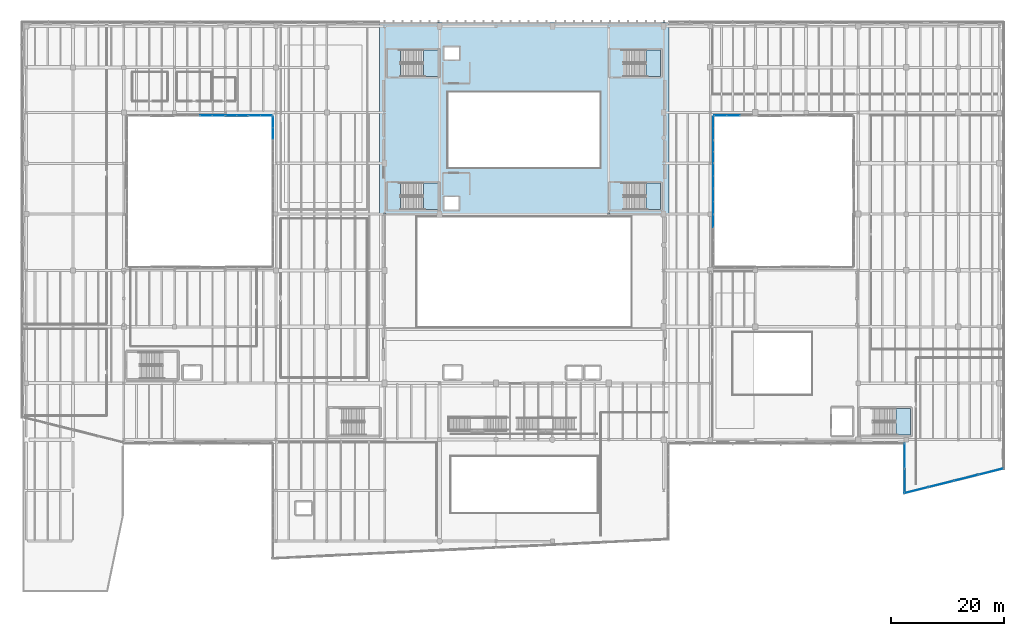
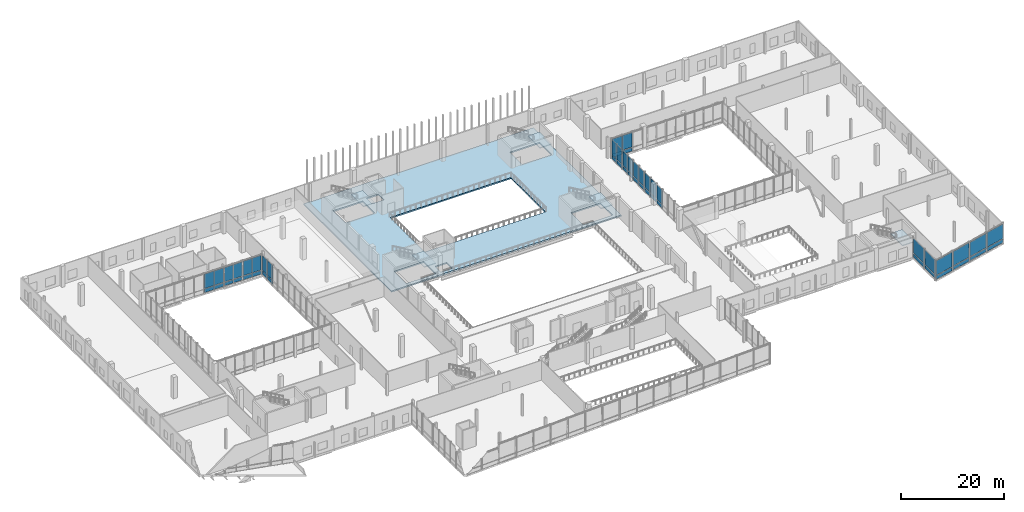
# One storey, part 54 of 81: 50 plates, 6 slabs, 21 elements without a shape of their own.
"""IFC4 building model written with IfcOpenShell, lengths in metres."""

from ifc_helpers import new_model, si_unit, direction, frame, origin, origin_2d, place, context, subcontext, project, spatial, polyline, rectangle, outline, extrude, material, layer, layer_set, type_object, element, aggregate, save


model = new_model("IFC4")

# Units and contexts
model_context = context("Model", 3, precision=1e-05, world=origin(), true_north=direction((0.0, 1.0)))
body_context = subcontext(model_context, "Body", "Model", "MODEL_VIEW")
ifc_project = project(units=[si_unit("LENGTHUNIT", "METRE"), si_unit("AREAUNIT", "SQUARE_METRE"), si_unit("VOLUMEUNIT", "CUBIC_METRE"), si_unit("PLANEANGLEUNIT", "RADIAN"), si_unit("MASSUNIT", "GRAM", prefix="KILO")], contexts=[model_context])

# Site, building, storey
site_placement = place(None, origin())
site = spatial("IfcSite", under=ifc_project, at=site_placement, CompositionType="ELEMENT")
building_placement = place(site_placement, origin())
building = spatial("IfcBuilding", under=site, at=building_placement, Name="Trimount Lyric Opera House", CompositionType="ELEMENT")
storey_placement = place(building_placement, frame((0.0, 0.0, 5.0)))
storey = spatial("IfcBuildingStorey", under=building, at=storey_placement, Name="L01", CompositionType="ELEMENT", Elevation=5.0)

# Curtain wall, plates
ifc_material_1 = material(Name="Thermally Broken Aluminium and Low-E Glass", Category="aluminium")
curtain_wall_type_1 = type_object("IfcCurtainWallType", Name="CW-03", PredefinedType="NOTDEFINED", material=ifc_material_1)
curtain_wall_1_placement = place(storey_placement, origin())
curtain_wall_1 = element("IfcCurtainWall", 1, at=curtain_wall_1_placement, inside=storey, type_object=curtain_wall_type_1, Name="L01 curtain wall 136", PredefinedType="NOTDEFINED")
ifc_material_2 = material(Name="Triple Low-E Acoustic Laminated Glass", Category="glass")
ifc_layer_1 = layer(ifc_material_2, 0.035888671875)
ifc_layer_set_1 = layer_set([ifc_layer_1], Name="CWP-01")
plate_type_1 = type_object("IfcPlateType", Name="CWP-01", PredefinedType="CURTAIN_PANEL", material=ifc_layer_set_1)
plate_1_placement = place(storey_placement, frame((126.090087890625, 101.4599609375, 0.13525390625), z_axis=(0.0, 0.0, 1.0), x_axis=(-1.0, 0.0, 0.0)))
plate_1 = element("IfcPlate", 2, at=plate_1_placement, type_object=plate_type_1, Name="CW-03 panel 2.1", PredefinedType="CURTAIN_PANEL", context=body_context, shape_type="SweptSolid", body=[
    extrude(rectangle(XDim=2.208251953125, YDim=0.035888671875, at=origin_2d()), origin(), (0.0, 0.0, 1.0), 0.847412109375),
])
plate_2_placement = place(storey_placement, frame((123.8330078125, 101.4599609375, 0.13525390625), z_axis=(0.0, 0.0, 1.0), x_axis=(-1.0, 0.0, 0.0)))
plate_2 = element("IfcPlate", 3, at=plate_2_placement, type_object=plate_type_1, Name="CW-03 panel 3.1", PredefinedType="CURTAIN_PANEL", context=body_context, shape_type="SweptSolid", body=[
    extrude(rectangle(XDim=2.17578125, YDim=0.035888671875, at=origin_2d()), origin(), (0.0, 0.0, 1.0), 0.847412109375),
])

curtain_wall_2_placement = place(storey_placement, origin())
curtain_wall_2 = element("IfcCurtainWall", 4, at=curtain_wall_2_placement, inside=storey, type_object=curtain_wall_type_1, Name="L01 curtain wall 137", PredefinedType="NOTDEFINED")
plate_3_placement = place(storey_placement, frame((122.5400390625, 100.264892578125, 0.114990234375), z_axis=(0.0, 0.0, 1.0), x_axis=(0.0, -1.0, 0.0)))
plate_3 = element("IfcPlate", 5, at=plate_3_placement, type_object=plate_type_1, Name="CW-03 panel 1.1", PredefinedType="CURTAIN_PANEL", context=body_context, shape_type="SweptSolid", body=[
    extrude(rectangle(XDim=1.989990234375, YDim=0.035888671875, at=origin_2d()), origin(), (0.0, 0.0, 1.0), 0.87744140625),
])
plate_4_placement = place(storey_placement, frame((122.5400390625, 98.215087890625, 0.114990234375), z_axis=(0.0, 0.0, 1.0), x_axis=(0.0, -1.0, 0.0)))
plate_4 = element("IfcPlate", 6, at=plate_4_placement, type_object=plate_type_1, Name="CW-03 panel 2.1", PredefinedType="CURTAIN_PANEL", context=body_context, shape_type="SweptSolid", body=[
    extrude(rectangle(XDim=1.989990234375, YDim=0.035888671875, at=origin_2d()), origin(), (0.0, 0.0, 1.0), 0.87744140625),
])

curtain_wall_3_placement = place(storey_placement, origin())
curtain_wall_3 = element("IfcCurtainWall", 7, at=curtain_wall_3_placement, inside=storey, type_object=curtain_wall_type_1, Name="L01 curtain wall 138", PredefinedType="NOTDEFINED")
plate_5_placement = place(storey_placement, frame((122.5400390625, 96.034912109375, 0.159912109375), z_axis=(0.0, 0.0, 1.0), x_axis=(0.0, -1.0, 0.0)))
plate_5 = element("IfcPlate", 8, at=plate_5_placement, type_object=plate_type_1, Name="CW-03 panel 1.1", PredefinedType="CURTAIN_PANEL", context=body_context, shape_type="SweptSolid", body=[
    extrude(rectangle(XDim=1.929931640625, YDim=0.035888671875, at=origin_2d()), origin(), (0.0, 0.0, 1.0), 0.81005859375),
])
plate_6_placement = place(storey_placement, frame((122.5400390625, 94.034912109375, 0.159912109375), z_axis=(0.0, 0.0, 1.0), x_axis=(0.0, -1.0, 0.0)))
plate_6 = element("IfcPlate", 9, at=plate_6_placement, type_object=plate_type_1, Name="CW-03 panel 2.1", PredefinedType="CURTAIN_PANEL", context=body_context, shape_type="SweptSolid", body=[
    extrude(rectangle(XDim=1.929931640625, YDim=0.035888671875, at=origin_2d()), origin(), (0.0, 0.0, 1.0), 0.81005859375),
])

curtain_wall_4_placement = place(storey_placement, origin())
curtain_wall_4 = element("IfcCurtainWall", 10, at=curtain_wall_4_placement, inside=storey, type_object=curtain_wall_type_1, Name="L01 curtain wall 139", PredefinedType="NOTDEFINED")
plate_7_placement = place(storey_placement, frame((122.5400390625, 91.791259765625, 0.13525390625), z_axis=(0.0, 0.0, 1.0), x_axis=(0.0, -1.0, 0.0)))
plate_7 = element("IfcPlate", 11, at=plate_7_placement, type_object=plate_type_1, Name="CW-03 panel 1.1", PredefinedType="CURTAIN_PANEL", context=body_context, shape_type="SweptSolid", body=[
    extrude(rectangle(XDim=2.107421875, YDim=0.035888671875, at=origin_2d()), origin(), (0.0, 0.0, 1.0), 0.847412109375),
])
plate_8_placement = place(storey_placement, frame((122.5400390625, 89.61865234375, 0.13525390625), z_axis=(0.0, 0.0, 1.0), x_axis=(0.0, -1.0, 0.0)))
plate_8 = element("IfcPlate", 12, at=plate_8_placement, type_object=plate_type_1, Name="CW-03 panel 2.1", PredefinedType="CURTAIN_PANEL", context=body_context, shape_type="SweptSolid", body=[
    extrude(rectangle(XDim=2.107421875, YDim=0.035888671875, at=origin_2d()), origin(), (0.0, 0.0, 1.0), 0.847412109375),
])

curtain_wall_5_placement = place(storey_placement, origin())
curtain_wall_5 = element("IfcCurtainWall", 13, at=curtain_wall_5_placement, inside=storey, type_object=curtain_wall_type_1, Name="L01 curtain wall 140", PredefinedType="NOTDEFINED")
plate_9_placement = place(storey_placement, frame((122.5400390625, 87.29248046875, 0.114990234375), z_axis=(0.0, 0.0, 1.0), x_axis=(0.0, -1.0, 0.0)))
plate_9 = element("IfcPlate", 14, at=plate_9_placement, type_object=plate_type_1, Name="CW-03 panel 1.1", PredefinedType="CURTAIN_PANEL", context=body_context, shape_type="SweptSolid", body=[
    extrude(rectangle(XDim=2.114990234375, YDim=0.035888671875, at=origin_2d()), origin(), (0.0, 0.0, 1.0), 0.87744140625),
])
plate_10_placement = place(storey_placement, frame((122.5400390625, 85.117431640625, 0.114990234375), z_axis=(0.0, 0.0, 1.0), x_axis=(0.0, -1.0, 0.0)))
plate_10 = element("IfcPlate", 15, at=plate_10_placement, type_object=plate_type_1, Name="CW-03 panel 2.1", PredefinedType="CURTAIN_PANEL", context=body_context, shape_type="SweptSolid", body=[
    extrude(rectangle(XDim=2.114990234375, YDim=0.035888671875, at=origin_2d()), origin(), (0.0, 0.0, 1.0), 0.87744140625),
])

# Curtain wall, plate
curtain_wall_6_placement = place(storey_placement, origin())
curtain_wall_6 = element("IfcCurtainWall", 16, at=curtain_wall_6_placement, inside=storey, type_object=curtain_wall_type_1, Name="L01 curtain wall 141", PredefinedType="NOTDEFINED")
plate_11_placement = place(storey_placement, frame((122.5400390625, 82.75, 0.159912109375), z_axis=(0.0, 0.0, 1.0), x_axis=(0.0, -1.0, 0.0)))
plate_11 = element("IfcPlate", 17, at=plate_11_placement, type_object=plate_type_1, Name="CW-03 panel 1.1", PredefinedType="CURTAIN_PANEL", context=body_context, shape_type="SweptSolid", body=[
    extrude(rectangle(XDim=2.179931640625, YDim=0.035888671875, at=origin_2d()), origin(), (0.0, 0.0, 1.0), 0.81005859375),
])

# Curtain wall, plates
curtain_wall_7_placement = place(storey_placement, origin())
curtain_wall_7 = element("IfcCurtainWall", 18, at=curtain_wall_7_placement, inside=storey, type_object=curtain_wall_type_1, Name="L01 curtain wall 154", PredefinedType="NOTDEFINED")
plate_12_placement = place(storey_placement, frame((44.4599609375, 98.28369140625, 0.13525390625), z_axis=(0.0, 0.0, 1.0), x_axis=(0.0, 1.0, 0.0)))
plate_12 = element("IfcPlate", 19, at=plate_12_placement, type_object=plate_type_1, Name="CW-03 panel 1.1", PredefinedType="CURTAIN_PANEL", context=body_context, shape_type="SweptSolid", body=[
    extrude(rectangle(XDim=1.9375, YDim=0.035888671875, at=origin_2d()), origin(), (0.0, 0.0, 1.0), 0.847412109375),
])
plate_13_placement = place(storey_placement, frame((44.4599609375, 100.2861328125, 0.13525390625), z_axis=(0.0, 0.0, 1.0), x_axis=(0.0, 1.0, 0.0)))
plate_13 = element("IfcPlate", 20, at=plate_13_placement, type_object=plate_type_1, Name="CW-03 panel 2.1", PredefinedType="CURTAIN_PANEL", context=body_context, shape_type="SweptSolid", body=[
    extrude(rectangle(XDim=1.9375, YDim=0.035888671875, at=origin_2d()), origin(), (0.0, 0.0, 1.0), 0.847412109375),
])

curtain_wall_8_placement = place(storey_placement, origin())
curtain_wall_8 = element("IfcCurtainWall", 21, at=curtain_wall_8_placement, inside=storey, type_object=curtain_wall_type_1, Name="L01 curtain wall 155", PredefinedType="NOTDEFINED")
plate_14_placement = place(storey_placement, frame((43.264892578125, 101.4599609375, 0.114990234375), z_axis=(0.0, 0.0, 1.0), x_axis=(-1.0, 0.0, 0.0)))
plate_14 = element("IfcPlate", 22, at=plate_14_placement, type_object=plate_type_1, Name="CW-03 panel 1.1", PredefinedType="CURTAIN_PANEL", context=body_context, shape_type="SweptSolid", body=[
    extrude(rectangle(XDim=1.989990234375, YDim=0.035888671875, at=origin_2d()), origin(), (0.0, 0.0, 1.0), 0.87744140625),
])
plate_15_placement = place(storey_placement, frame((41.215087890625, 101.4599609375, 0.114990234375), z_axis=(0.0, 0.0, 1.0), x_axis=(-1.0, 0.0, 0.0)))
plate_15 = element("IfcPlate", 23, at=plate_15_placement, type_object=plate_type_1, Name="CW-03 panel 2.1", PredefinedType="CURTAIN_PANEL", context=body_context, shape_type="SweptSolid", body=[
    extrude(rectangle(XDim=1.989990234375, YDim=0.035888671875, at=origin_2d()), origin(), (0.0, 0.0, 1.0), 0.87744140625),
])

curtain_wall_9_placement = place(storey_placement, origin())
curtain_wall_9 = element("IfcCurtainWall", 24, at=curtain_wall_9_placement, inside=storey, type_object=curtain_wall_type_1, Name="L01 curtain wall 156", PredefinedType="NOTDEFINED")
plate_16_placement = place(storey_placement, frame((39.034912109375, 101.4599609375, 0.159912109375), z_axis=(0.0, 0.0, 1.0), x_axis=(-1.0, 0.0, 0.0)))
plate_16 = element("IfcPlate", 25, at=plate_16_placement, type_object=plate_type_1, Name="CW-03 panel 1.1", PredefinedType="CURTAIN_PANEL", context=body_context, shape_type="SweptSolid", body=[
    extrude(rectangle(XDim=1.929931640625, YDim=0.035888671875, at=origin_2d()), origin(), (0.0, 0.0, 1.0), 0.81005859375),
])
plate_17_placement = place(storey_placement, frame((37.034912109375, 101.4599609375, 0.159912109375), z_axis=(0.0, 0.0, 1.0), x_axis=(-1.0, 0.0, 0.0)))
plate_17 = element("IfcPlate", 26, at=plate_17_placement, type_object=plate_type_1, Name="CW-03 panel 2.1", PredefinedType="CURTAIN_PANEL", context=body_context, shape_type="SweptSolid", body=[
    extrude(rectangle(XDim=1.929931640625, YDim=0.035888671875, at=origin_2d()), origin(), (0.0, 0.0, 1.0), 0.81005859375),
])

curtain_wall_10_placement = place(storey_placement, origin())
curtain_wall_10 = element("IfcCurtainWall", 27, at=curtain_wall_10_placement, inside=storey, type_object=curtain_wall_type_1, Name="L01 curtain wall 157", PredefinedType="NOTDEFINED")
plate_18_placement = place(storey_placement, frame((34.791259765625, 101.4599609375, 0.13525390625), z_axis=(0.0, 0.0, 1.0), x_axis=(-1.0, 0.0, 0.0)))
plate_18 = element("IfcPlate", 28, at=plate_18_placement, type_object=plate_type_1, Name="CW-03 panel 1.1", PredefinedType="CURTAIN_PANEL", context=body_context, shape_type="SweptSolid", body=[
    extrude(rectangle(XDim=2.107421875, YDim=0.035888671875, at=origin_2d()), origin(), (0.0, 0.0, 1.0), 0.847412109375),
])
plate_19_placement = place(storey_placement, frame((32.61865234375, 101.4599609375, 0.13525390625), z_axis=(0.0, 0.0, 1.0), x_axis=(-1.0, 0.0, 0.0)))
plate_19 = element("IfcPlate", 29, at=plate_19_placement, type_object=plate_type_1, Name="CW-03 panel 2.1", PredefinedType="CURTAIN_PANEL", context=body_context, shape_type="SweptSolid", body=[
    extrude(rectangle(XDim=2.107421875, YDim=0.035888671875, at=origin_2d()), origin(), (0.0, 0.0, 1.0), 0.847412109375),
])

# Curtain wall, plate
ifc_material_3 = material(Name="Thermally Broken Aluminium and Low-E Glass", Category="aluminium")
curtain_wall_type_2 = type_object("IfcCurtainWallType", Name="CW-04", PredefinedType="NOTDEFINED", material=ifc_material_3)
curtain_wall_11_placement = place(storey_placement, origin())
curtain_wall_11 = element("IfcCurtainWall", 30, at=curtain_wall_11_placement, inside=storey, type_object=curtain_wall_type_2, Name="L01 curtain wall 083", PredefinedType="NOTDEFINED")
ifc_material_4 = material(Name="Double Low-E Insulated Vision Glass", Category="glass")
ifc_layer_2 = layer(ifc_material_4, 0.028076171875)
ifc_layer_set_2 = layer_set([ifc_layer_2], Name="CWP-03")
plate_type_2 = type_object("IfcPlateType", Name="CWP-03", PredefinedType="CURTAIN_PANEL", material=ifc_layer_set_2)
plate_20_placement = place(storey_placement, frame((171.794921875, 38.3154296875, 0.114990234375), z_axis=(0.0, 0.0, 1.0), x_axis=(-0.970378671234, -0.241588978254, 0.0)))
plate_20 = element("IfcPlate", 31, at=plate_20_placement, type_object=plate_type_2, Name="CW-04 panel 1.1", PredefinedType="CURTAIN_PANEL", context=body_context, shape_type="SweptSolid", body=[
    extrude(rectangle(XDim=4.3544921875, YDim=0.028076171875, at=origin_2d()), origin(), (0.0, 0.0, 1.0), 0.87744140625),
])

curtain_wall_12_placement = place(storey_placement, origin())
curtain_wall_12 = element("IfcCurtainWall", 32, at=curtain_wall_12_placement, inside=storey, type_object=curtain_wall_type_2, Name="L01 curtain wall 084", PredefinedType="NOTDEFINED")
plate_21_placement = place(storey_placement, frame((167.37060546875, 37.214111328125, 0.159912109375), z_axis=(0.0, 0.0, 1.0), x_axis=(-0.970418525416, -0.241428841545, 0.0)))
plate_21 = element("IfcPlate", 33, at=plate_21_placement, type_object=plate_type_2, Name="CW-04 panel 1.1", PredefinedType="CURTAIN_PANEL", context=body_context, shape_type="SweptSolid", body=[
    extrude(rectangle(XDim=4.3251953125, YDim=0.028076171875, at=origin_2d()), origin(), (0.0, 0.0, 1.0), 0.81005859375),
])

curtain_wall_13_placement = place(storey_placement, origin())
curtain_wall_13 = element("IfcCurtainWall", 34, at=curtain_wall_13_placement, inside=storey, type_object=curtain_wall_type_2, Name="L01 curtain wall 085", PredefinedType="NOTDEFINED")
plate_22_placement = place(storey_placement, frame((162.950439453125, 36.114013671875, 0.13525390625), z_axis=(0.0, 0.0, 1.0), x_axis=(-0.970418525416, -0.241428841545, 0.0)))
plate_22 = element("IfcPlate", 35, at=plate_22_placement, type_object=plate_type_2, Name="CW-04 panel 1.1", PredefinedType="CURTAIN_PANEL", context=body_context, shape_type="SweptSolid", body=[
    extrude(rectangle(XDim=4.335205078125, YDim=0.028076171875, at=origin_2d()), origin(), (0.0, 0.0, 1.0), 0.847412109375),
])

curtain_wall_14_placement = place(storey_placement, origin())
curtain_wall_14 = element("IfcCurtainWall", 36, at=curtain_wall_14_placement, inside=storey, type_object=curtain_wall_type_2, Name="L01 curtain wall 086", PredefinedType="NOTDEFINED")
plate_23_placement = place(storey_placement, frame((158.530517578125, 35.013916015625, 0.114990234375), z_axis=(0.0, 0.0, 1.0), x_axis=(-0.970418525416, -0.241428841545, 0.0)))
plate_23 = element("IfcPlate", 37, at=plate_23_placement, type_object=plate_type_2, Name="CW-04 panel 1.1", PredefinedType="CURTAIN_PANEL", context=body_context, shape_type="SweptSolid", body=[
    extrude(rectangle(XDim=4.344970703125, YDim=0.028076171875, at=origin_2d()), origin(), (0.0, 0.0, 1.0), 0.87744140625),
])

curtain_wall_15_placement = place(storey_placement, origin())
curtain_wall_15 = element("IfcCurtainWall", 38, at=curtain_wall_15_placement, inside=storey, type_object=curtain_wall_type_2, Name="L01 curtain wall 087", PredefinedType="NOTDEFINED")
plate_24_placement = place(storey_placement, frame((156.4599609375, 36.7060546875, 0.159912109375), z_axis=(0.0, 0.0, 1.0), x_axis=(0.0, 1.0, 0.0)))
plate_24 = element("IfcPlate", 39, at=plate_24_placement, type_object=plate_type_2, Name="CW-04 panel 1.1", PredefinedType="CURTAIN_PANEL", context=body_context, shape_type="SweptSolid", body=[
    extrude(rectangle(XDim=4.087890625, YDim=0.028076171875, at=origin_2d()), origin(), (0.0, 0.0, 1.0), 0.81005859375),
])

curtain_wall_16_placement = place(storey_placement, origin())
curtain_wall_16 = element("IfcCurtainWall", 40, at=curtain_wall_16_placement, inside=storey, type_object=curtain_wall_type_2, Name="L01 curtain wall 088", PredefinedType="NOTDEFINED")
plate_25_placement = place(storey_placement, frame((156.4599609375, 41.114990234375, 0.13525390625), z_axis=(0.0, 0.0, 1.0), x_axis=(0.0, 1.0, 0.0)))
plate_25 = element("IfcPlate", 41, at=plate_25_placement, type_object=plate_type_2, Name="CW-04 panel 1.1", PredefinedType="CURTAIN_PANEL", context=body_context, shape_type="SweptSolid", body=[
    extrude(rectangle(XDim=4.280029296875, YDim=0.028076171875, at=origin_2d()), origin(), (0.0, 0.0, 1.0), 0.847412109375),
])

# Plate
ifc_material_5 = material(Name="Insulated Aluminium Shadow-Box Spandrel Panel", Category="aluminium")
ifc_layer_3 = layer(ifc_material_5, 0.0419921875)
ifc_layer_set_3 = layer_set([ifc_layer_3], Name="CWP-04")
plate_type_3 = type_object("IfcPlateType", Name="CWP-04", PredefinedType="CURTAIN_PANEL", material=ifc_layer_set_3)
plate_26_placement = place(storey_placement, frame((171.794921875, 38.3154296875, 1.107421875), z_axis=(0.0, 0.0, 1.0), x_axis=(-0.970378671234, -0.241588978254, 0.0)))
plate_26 = element("IfcPlate", 42, at=plate_26_placement, type_object=plate_type_3, Name="CW-04 panel 1.2", PredefinedType="CURTAIN_PANEL", context=body_context, shape_type="SweptSolid", body=[
    extrude(rectangle(XDim=4.3544921875, YDim=0.028076171875, at=origin_2d()), origin(), (0.0, 0.0, 1.0), 3.45751953125),
])

aggregate(curtain_wall_11, [plate_20, plate_26])

plate_27_placement = place(storey_placement, frame((167.37060546875, 37.214111328125, 1.1298828125), z_axis=(0.0, 0.0, 1.0), x_axis=(-0.970418525416, -0.241428841545, 0.0)))
plate_27 = element("IfcPlate", 43, at=plate_27_placement, type_object=plate_type_3, Name="CW-04 panel 1.2", PredefinedType="CURTAIN_PANEL", context=body_context, shape_type="SweptSolid", body=[
    extrude(rectangle(XDim=4.3251953125, YDim=0.028076171875, at=origin_2d()), origin(), (0.0, 0.0, 1.0), 3.389892578125),
])

aggregate(curtain_wall_12, [plate_21, plate_27])

plate_28_placement = place(storey_placement, frame((162.950439453125, 36.114013671875, 1.11767578125), z_axis=(0.0, 0.0, 1.0), x_axis=(-0.970418525416, -0.241428841545, 0.0)))
plate_28 = element("IfcPlate", 44, at=plate_28_placement, type_object=plate_type_3, Name="CW-04 panel 1.2", PredefinedType="CURTAIN_PANEL", context=body_context, shape_type="SweptSolid", body=[
    extrude(rectangle(XDim=4.335205078125, YDim=0.028076171875, at=origin_2d()), origin(), (0.0, 0.0, 1.0), 3.427490234375),
])

aggregate(curtain_wall_13, [plate_22, plate_28])

plate_29_placement = place(storey_placement, frame((158.530517578125, 35.013916015625, 1.107421875), z_axis=(0.0, 0.0, 1.0), x_axis=(-0.970418525416, -0.241428841545, 0.0)))
plate_29 = element("IfcPlate", 45, at=plate_29_placement, type_object=plate_type_3, Name="CW-04 panel 1.2", PredefinedType="CURTAIN_PANEL", context=body_context, shape_type="SweptSolid", body=[
    extrude(rectangle(XDim=4.344970703125, YDim=0.028076171875, at=origin_2d()), origin(), (0.0, 0.0, 1.0), 3.45751953125),
])

aggregate(curtain_wall_14, [plate_23, plate_29])

plate_30_placement = place(storey_placement, frame((156.4599609375, 36.7060546875, 1.1298828125), z_axis=(0.0, 0.0, 1.0), x_axis=(0.0, 1.0, 0.0)))
plate_30 = element("IfcPlate", 46, at=plate_30_placement, type_object=plate_type_3, Name="CW-04 panel 1.2", PredefinedType="CURTAIN_PANEL", context=body_context, shape_type="SweptSolid", body=[
    extrude(rectangle(XDim=4.087890625, YDim=0.028076171875, at=origin_2d()), origin(), (0.0, 0.0, 1.0), 3.389892578125),
])

aggregate(curtain_wall_15, [plate_24, plate_30])

plate_31_placement = place(storey_placement, frame((156.4599609375, 41.114990234375, 1.11767578125), z_axis=(0.0, 0.0, 1.0), x_axis=(0.0, 1.0, 0.0)))
plate_31 = element("IfcPlate", 47, at=plate_31_placement, type_object=plate_type_3, Name="CW-04 panel 1.2", PredefinedType="CURTAIN_PANEL", context=body_context, shape_type="SweptSolid", body=[
    extrude(rectangle(XDim=4.280029296875, YDim=0.028076171875, at=origin_2d()), origin(), (0.0, 0.0, 1.0), 3.427490234375),
])

aggregate(curtain_wall_16, [plate_25, plate_31])

plate_32_placement = place(storey_placement, frame((126.090087890625, 101.4599609375, 1.11767578125), z_axis=(0.0, 0.0, 1.0), x_axis=(-1.0, 0.0, 0.0)))
plate_32 = element("IfcPlate", 48, at=plate_32_placement, type_object=plate_type_3, Name="CW-03 panel 2.2", PredefinedType="CURTAIN_PANEL", context=body_context, shape_type="SweptSolid", body=[
    extrude(rectangle(XDim=2.208251953125, YDim=0.035888671875, at=origin_2d()), origin(), (0.0, 0.0, 1.0), 3.427490234375),
])

plate_33_placement = place(storey_placement, frame((123.8330078125, 101.4599609375, 1.11767578125), z_axis=(0.0, 0.0, 1.0), x_axis=(-1.0, 0.0, 0.0)))
plate_33 = element("IfcPlate", 49, at=plate_33_placement, type_object=plate_type_3, Name="CW-03 panel 3.2", PredefinedType="CURTAIN_PANEL", context=body_context, shape_type="SweptSolid", body=[
    extrude(rectangle(XDim=2.17578125, YDim=0.035888671875, at=origin_2d()), origin(), (0.0, 0.0, 1.0), 3.427490234375),
])

aggregate(curtain_wall_1, [plate_1, plate_32, plate_2, plate_33])

plate_34_placement = place(storey_placement, frame((122.5400390625, 100.264892578125, 1.107421875), z_axis=(0.0, 0.0, 1.0), x_axis=(0.0, -1.0, 0.0)))
plate_34 = element("IfcPlate", 50, at=plate_34_placement, type_object=plate_type_3, Name="CW-03 panel 1.2", PredefinedType="CURTAIN_PANEL", context=body_context, shape_type="SweptSolid", body=[
    extrude(rectangle(XDim=1.989990234375, YDim=0.035888671875, at=origin_2d()), origin(), (0.0, 0.0, 1.0), 3.45751953125),
])

plate_35_placement = place(storey_placement, frame((122.5400390625, 98.215087890625, 1.107421875), z_axis=(0.0, 0.0, 1.0), x_axis=(0.0, -1.0, 0.0)))
plate_35 = element("IfcPlate", 51, at=plate_35_placement, type_object=plate_type_3, Name="CW-03 panel 2.2", PredefinedType="CURTAIN_PANEL", context=body_context, shape_type="SweptSolid", body=[
    extrude(rectangle(XDim=1.989990234375, YDim=0.035888671875, at=origin_2d()), origin(), (0.0, 0.0, 1.0), 3.45751953125),
])

aggregate(curtain_wall_2, [plate_3, plate_34, plate_4, plate_35])

plate_36_placement = place(storey_placement, frame((122.5400390625, 96.034912109375, 1.1298828125), z_axis=(0.0, 0.0, 1.0), x_axis=(0.0, -1.0, 0.0)))
plate_36 = element("IfcPlate", 52, at=plate_36_placement, type_object=plate_type_3, Name="CW-03 panel 1.2", PredefinedType="CURTAIN_PANEL", context=body_context, shape_type="SweptSolid", body=[
    extrude(rectangle(XDim=1.929931640625, YDim=0.035888671875, at=origin_2d()), origin(), (0.0, 0.0, 1.0), 3.389892578125),
])

plate_37_placement = place(storey_placement, frame((122.5400390625, 94.034912109375, 1.1298828125), z_axis=(0.0, 0.0, 1.0), x_axis=(0.0, -1.0, 0.0)))
plate_37 = element("IfcPlate", 53, at=plate_37_placement, type_object=plate_type_3, Name="CW-03 panel 2.2", PredefinedType="CURTAIN_PANEL", context=body_context, shape_type="SweptSolid", body=[
    extrude(rectangle(XDim=1.929931640625, YDim=0.035888671875, at=origin_2d()), origin(), (0.0, 0.0, 1.0), 3.389892578125),
])

aggregate(curtain_wall_3, [plate_5, plate_36, plate_6, plate_37])

plate_38_placement = place(storey_placement, frame((122.5400390625, 91.791259765625, 1.11767578125), z_axis=(0.0, 0.0, 1.0), x_axis=(0.0, -1.0, 0.0)))
plate_38 = element("IfcPlate", 54, at=plate_38_placement, type_object=plate_type_3, Name="CW-03 panel 1.2", PredefinedType="CURTAIN_PANEL", context=body_context, shape_type="SweptSolid", body=[
    extrude(rectangle(XDim=2.107421875, YDim=0.035888671875, at=origin_2d()), origin(), (0.0, 0.0, 1.0), 3.427490234375),
])

plate_39_placement = place(storey_placement, frame((122.5400390625, 89.61865234375, 1.11767578125), z_axis=(0.0, 0.0, 1.0), x_axis=(0.0, -1.0, 0.0)))
plate_39 = element("IfcPlate", 55, at=plate_39_placement, type_object=plate_type_3, Name="CW-03 panel 2.2", PredefinedType="CURTAIN_PANEL", context=body_context, shape_type="SweptSolid", body=[
    extrude(rectangle(XDim=2.107421875, YDim=0.035888671875, at=origin_2d()), origin(), (0.0, 0.0, 1.0), 3.427490234375),
])

aggregate(curtain_wall_4, [plate_7, plate_38, plate_8, plate_39])

plate_40_placement = place(storey_placement, frame((122.5400390625, 87.29248046875, 1.107421875), z_axis=(0.0, 0.0, 1.0), x_axis=(0.0, -1.0, 0.0)))
plate_40 = element("IfcPlate", 56, at=plate_40_placement, type_object=plate_type_3, Name="CW-03 panel 1.2", PredefinedType="CURTAIN_PANEL", context=body_context, shape_type="SweptSolid", body=[
    extrude(rectangle(XDim=2.114990234375, YDim=0.035888671875, at=origin_2d()), origin(), (0.0, 0.0, 1.0), 3.45751953125),
])

plate_41_placement = place(storey_placement, frame((122.5400390625, 85.117431640625, 1.107421875), z_axis=(0.0, 0.0, 1.0), x_axis=(0.0, -1.0, 0.0)))
plate_41 = element("IfcPlate", 57, at=plate_41_placement, type_object=plate_type_3, Name="CW-03 panel 2.2", PredefinedType="CURTAIN_PANEL", context=body_context, shape_type="SweptSolid", body=[
    extrude(rectangle(XDim=2.114990234375, YDim=0.035888671875, at=origin_2d()), origin(), (0.0, 0.0, 1.0), 3.45751953125),
])

aggregate(curtain_wall_5, [plate_9, plate_40, plate_10, plate_41])

plate_42_placement = place(storey_placement, frame((122.5400390625, 82.75, 1.1298828125), z_axis=(0.0, 0.0, 1.0), x_axis=(0.0, -1.0, 0.0)))
plate_42 = element("IfcPlate", 58, at=plate_42_placement, type_object=plate_type_3, Name="CW-03 panel 1.2", PredefinedType="CURTAIN_PANEL", context=body_context, shape_type="SweptSolid", body=[
    extrude(rectangle(XDim=2.179931640625, YDim=0.035888671875, at=origin_2d()), origin(), (0.0, 0.0, 1.0), 3.389892578125),
])

aggregate(curtain_wall_6, [plate_11, plate_42])

plate_43_placement = place(storey_placement, frame((44.4599609375, 98.28369140625, 1.11767578125), z_axis=(0.0, 0.0, 1.0), x_axis=(0.0, 1.0, 0.0)))
plate_43 = element("IfcPlate", 59, at=plate_43_placement, type_object=plate_type_3, Name="CW-03 panel 1.2", PredefinedType="CURTAIN_PANEL", context=body_context, shape_type="SweptSolid", body=[
    extrude(rectangle(XDim=1.9375, YDim=0.035888671875, at=origin_2d()), origin(), (0.0, 0.0, 1.0), 3.427490234375),
])

plate_44_placement = place(storey_placement, frame((44.4599609375, 100.2861328125, 1.11767578125), z_axis=(0.0, 0.0, 1.0), x_axis=(0.0, 1.0, 0.0)))
plate_44 = element("IfcPlate", 60, at=plate_44_placement, type_object=plate_type_3, Name="CW-03 panel 2.2", PredefinedType="CURTAIN_PANEL", context=body_context, shape_type="SweptSolid", body=[
    extrude(rectangle(XDim=1.9375, YDim=0.035888671875, at=origin_2d()), origin(), (0.0, 0.0, 1.0), 3.427490234375),
])

aggregate(curtain_wall_7, [plate_12, plate_43, plate_13, plate_44])

plate_45_placement = place(storey_placement, frame((43.264892578125, 101.4599609375, 1.107421875), z_axis=(0.0, 0.0, 1.0), x_axis=(-1.0, 0.0, 0.0)))
plate_45 = element("IfcPlate", 61, at=plate_45_placement, type_object=plate_type_3, Name="CW-03 panel 1.2", PredefinedType="CURTAIN_PANEL", context=body_context, shape_type="SweptSolid", body=[
    extrude(rectangle(XDim=1.989990234375, YDim=0.035888671875, at=origin_2d()), origin(), (0.0, 0.0, 1.0), 3.45751953125),
])

plate_46_placement = place(storey_placement, frame((41.215087890625, 101.4599609375, 1.107421875), z_axis=(0.0, 0.0, 1.0), x_axis=(-1.0, 0.0, 0.0)))
plate_46 = element("IfcPlate", 62, at=plate_46_placement, type_object=plate_type_3, Name="CW-03 panel 2.2", PredefinedType="CURTAIN_PANEL", context=body_context, shape_type="SweptSolid", body=[
    extrude(rectangle(XDim=1.989990234375, YDim=0.035888671875, at=origin_2d()), origin(), (0.0, 0.0, 1.0), 3.45751953125),
])

aggregate(curtain_wall_8, [plate_14, plate_45, plate_15, plate_46])

plate_47_placement = place(storey_placement, frame((39.034912109375, 101.4599609375, 1.1298828125), z_axis=(0.0, 0.0, 1.0), x_axis=(-1.0, 0.0, 0.0)))
plate_47 = element("IfcPlate", 63, at=plate_47_placement, type_object=plate_type_3, Name="CW-03 panel 1.2", PredefinedType="CURTAIN_PANEL", context=body_context, shape_type="SweptSolid", body=[
    extrude(rectangle(XDim=1.929931640625, YDim=0.035888671875, at=origin_2d()), origin(), (0.0, 0.0, 1.0), 3.389892578125),
])

plate_48_placement = place(storey_placement, frame((37.034912109375, 101.4599609375, 1.1298828125), z_axis=(0.0, 0.0, 1.0), x_axis=(-1.0, 0.0, 0.0)))
plate_48 = element("IfcPlate", 64, at=plate_48_placement, type_object=plate_type_3, Name="CW-03 panel 2.2", PredefinedType="CURTAIN_PANEL", context=body_context, shape_type="SweptSolid", body=[
    extrude(rectangle(XDim=1.929931640625, YDim=0.035888671875, at=origin_2d()), origin(), (0.0, 0.0, 1.0), 3.389892578125),
])

aggregate(curtain_wall_9, [plate_16, plate_47, plate_17, plate_48])

plate_49_placement = place(storey_placement, frame((34.791259765625, 101.4599609375, 1.11767578125), z_axis=(0.0, 0.0, 1.0), x_axis=(-1.0, 0.0, 0.0)))
plate_49 = element("IfcPlate", 65, at=plate_49_placement, type_object=plate_type_3, Name="CW-03 panel 1.2", PredefinedType="CURTAIN_PANEL", context=body_context, shape_type="SweptSolid", body=[
    extrude(rectangle(XDim=2.107421875, YDim=0.035888671875, at=origin_2d()), origin(), (0.0, 0.0, 1.0), 3.427490234375),
])

plate_50_placement = place(storey_placement, frame((32.61865234375, 101.4599609375, 1.11767578125), z_axis=(0.0, 0.0, 1.0), x_axis=(-1.0, 0.0, 0.0)))
plate_50 = element("IfcPlate", 66, at=plate_50_placement, type_object=plate_type_3, Name="CW-03 panel 2.2", PredefinedType="CURTAIN_PANEL", context=body_context, shape_type="SweptSolid", body=[
    extrude(rectangle(XDim=2.107421875, YDim=0.035888671875, at=origin_2d()), origin(), (0.0, 0.0, 1.0), 3.427490234375),
])

aggregate(curtain_wall_10, [plate_18, plate_49, plate_19, plate_50])

# Slab
ifc_material_6 = material(Name="Concrete C40/50", Category="concrete")
ifc_layer_4 = layer(ifc_material_6, 0.324951171875)
ifc_layer_set_4 = layer_set([ifc_layer_4], Name="SL-FL325")
slab_type_1 = type_object("IfcSlabType", Name="SL-FL325", PredefinedType="FLOOR", material=ifc_layer_set_4)
slab_1_placement = place(storey_placement, frame((0.0, 0.0, -0.324951171875)))
element("IfcSlab", 67, at=slab_1_placement, inside=storey, type_object=slab_type_1, Name="L01 floor slab L01-VOL1-N", PredefinedType="FLOOR", context=body_context, shape_type="SweptSolid", body=[
    extrude(outline(polyline([(114.679931640625, 118.0), (114.679931640625, 84.0), (63.320068359375, 84.0), (63.320068359375, 118.0), (114.679931640625, 118.0)]), holes=[polyline([(113.199951171875, 89.5), (106.60009765625, 89.5), (106.60009765625, 84.800048828125), (113.199951171875, 84.800048828125), (113.199951171875, 89.5)]), polyline([(113.199951171875, 113.10009765625), (106.60009765625, 113.10009765625), (106.60009765625, 108.39990234375), (113.199951171875, 108.39990234375), (113.199951171875, 113.10009765625)]), polyline([(75.5, 92.199951171875), (102.5, 92.199951171875), (102.5, 105.60009765625), (75.5, 105.60009765625), (75.5, 92.199951171875)]), polyline([(77.5, 113.60009765625), (74.800048828125, 113.60009765625), (74.800048828125, 111.39990234375), (77.5, 111.39990234375), (77.5, 113.60009765625)]), polyline([(77.39990234375, 87.0), (74.800048828125, 87.0), (74.800048828125, 84.800048828125), (77.39990234375, 84.800048828125), (77.39990234375, 87.0)]), polyline([(73.699951171875, 89.5), (67.10009765625, 89.5), (67.10009765625, 84.800048828125), (73.699951171875, 84.800048828125), (73.699951171875, 89.5)]), polyline([(73.699951171875, 113.10009765625), (67.10009765625, 113.10009765625), (67.10009765625, 108.39990234375), (73.699951171875, 108.39990234375), (73.699951171875, 113.10009765625)])]), origin(), (0.0, 0.0, 1.0), 0.324951171875),
])

# Stair, slab
ifc_material_7 = material(Name="Concrete C40/50", Category="concrete")
stair_type = type_object("IfcStairType", Name="STR-CORE-A", PredefinedType="TWO_QUARTER_TURN_STAIR", material=ifc_material_7)
stair_1_placement = place(storey_placement, origin())
stair_1 = element("IfcStair", 68, at=stair_1_placement, inside=storey, type_object=stair_type, Name="L01 Exit Stair ST-01", PredefinedType="TWO_QUARTER_TURN_STAIR")
ifc_material_8 = material(Name="Concrete C40/50", Category="concrete")
ifc_layer_5 = layer(ifc_material_8, 0.199951171875)
ifc_layer_set_5 = layer_set([ifc_layer_5], Name="SL-LND200")
slab_type_2 = type_object("IfcSlabType", Name="SL-LND200", PredefinedType="LANDING", material=ifc_layer_set_5)
slab_2_placement = place(storey_placement, frame((0.0, 0.0, 2.300048828125)))
slab_2 = element("IfcSlab", 69, at=slab_2_placement, type_object=slab_type_2, Name="ST-01 landing 1", PredefinedType="LANDING", context=body_context, shape_type="SweptSolid", body=[
    extrude(outline(polyline([(71.110107421875, 108.39990234375), (73.699951171875, 108.39990234375), (73.699951171875, 113.10009765625), (71.110107421875, 113.10009765625), (71.110107421875, 108.39990234375)])), origin(), (0.0, 0.0, 1.0), 0.199951171875),
])
aggregate(stair_1, [slab_2])

stair_2_placement = place(storey_placement, origin())
stair_2 = element("IfcStair", 70, at=stair_2_placement, inside=storey, type_object=stair_type, Name="L01 Exit Stair ST-02", PredefinedType="TWO_QUARTER_TURN_STAIR")
slab_3_placement = place(storey_placement, frame((0.0, 0.0, 2.300048828125)))
slab_3 = element("IfcSlab", 71, at=slab_3_placement, type_object=slab_type_2, Name="ST-02 landing 1", PredefinedType="LANDING", context=body_context, shape_type="SweptSolid", body=[
    extrude(outline(polyline([(110.610107421875, 108.39990234375), (113.199951171875, 108.39990234375), (113.199951171875, 113.10009765625), (110.610107421875, 113.10009765625), (110.610107421875, 108.39990234375)])), origin(), (0.0, 0.0, 1.0), 0.199951171875),
])
aggregate(stair_2, [slab_3])

stair_3_placement = place(storey_placement, origin())
stair_3 = element("IfcStair", 72, at=stair_3_placement, inside=storey, type_object=stair_type, Name="L01 Exit Stair ST-03", PredefinedType="TWO_QUARTER_TURN_STAIR")
slab_4_placement = place(storey_placement, frame((0.0, 0.0, 2.300048828125)))
slab_4 = element("IfcSlab", 73, at=slab_4_placement, type_object=slab_type_2, Name="ST-03 landing 1", PredefinedType="LANDING", context=body_context, shape_type="SweptSolid", body=[
    extrude(outline(polyline([(71.110107421875, 84.800048828125), (73.699951171875, 84.800048828125), (73.699951171875, 89.5), (71.110107421875, 89.5), (71.110107421875, 84.800048828125)])), origin(), (0.0, 0.0, 1.0), 0.199951171875),
])
aggregate(stair_3, [slab_4])

stair_4_placement = place(storey_placement, origin())
stair_4 = element("IfcStair", 74, at=stair_4_placement, inside=storey, type_object=stair_type, Name="L01 Exit Stair ST-04", PredefinedType="TWO_QUARTER_TURN_STAIR")
slab_5_placement = place(storey_placement, frame((0.0, 0.0, 2.300048828125)))
slab_5 = element("IfcSlab", 75, at=slab_5_placement, type_object=slab_type_2, Name="ST-04 landing 1", PredefinedType="LANDING", context=body_context, shape_type="SweptSolid", body=[
    extrude(outline(polyline([(110.610107421875, 84.800048828125), (113.199951171875, 84.800048828125), (113.199951171875, 89.5), (110.610107421875, 89.5), (110.610107421875, 84.800048828125)])), origin(), (0.0, 0.0, 1.0), 0.199951171875),
])
aggregate(stair_4, [slab_5])

stair_5_placement = place(storey_placement, origin())
stair_5 = element("IfcStair", 76, at=stair_5_placement, inside=storey, type_object=stair_type, Name="L01 Exit Stair ST-05", PredefinedType="TWO_QUARTER_TURN_STAIR")
slab_6_placement = place(storey_placement, frame((0.0, 0.0, 2.300048828125)))
slab_6 = element("IfcSlab", 77, at=slab_6_placement, type_object=slab_type_2, Name="ST-05 landing 1", PredefinedType="LANDING", context=body_context, shape_type="SweptSolid", body=[
    extrude(outline(polyline([(154.909912109375, 44.800048828125), (157.5, 44.800048828125), (157.5, 49.5), (154.909912109375, 49.5), (154.909912109375, 44.800048828125)])), origin(), (0.0, 0.0, 1.0), 0.199951171875),
])
aggregate(stair_5, [slab_6])

save(model, "model.ifc")
